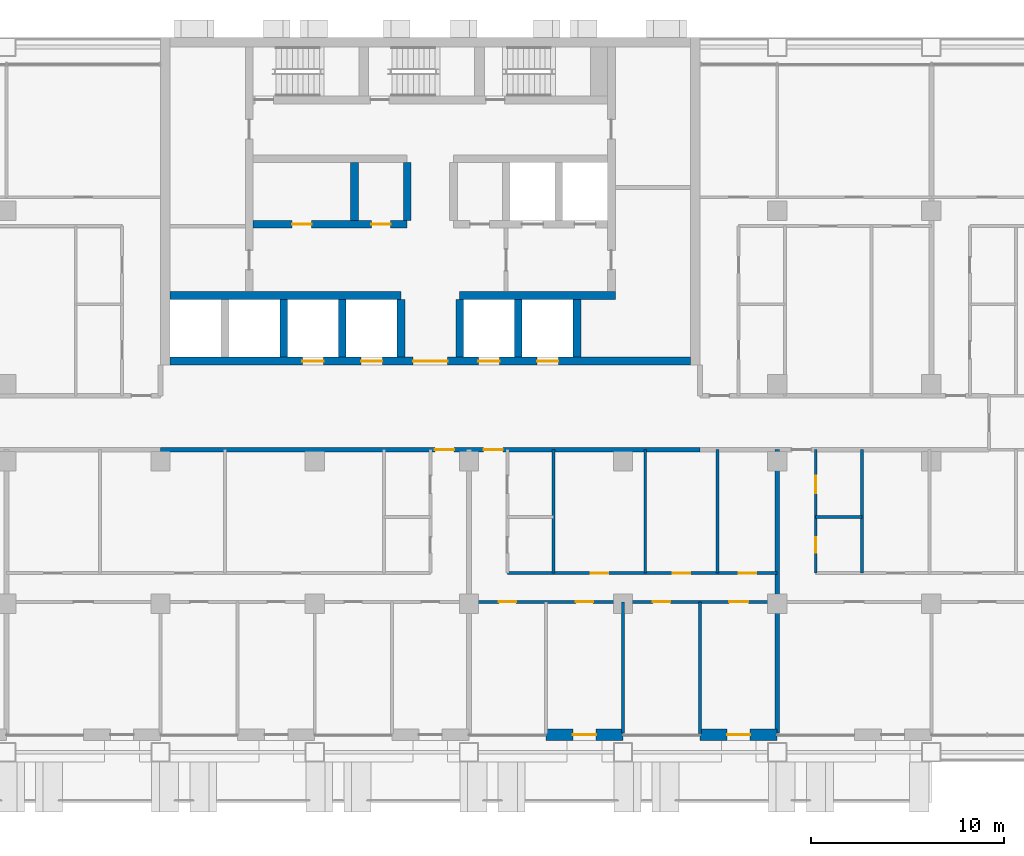
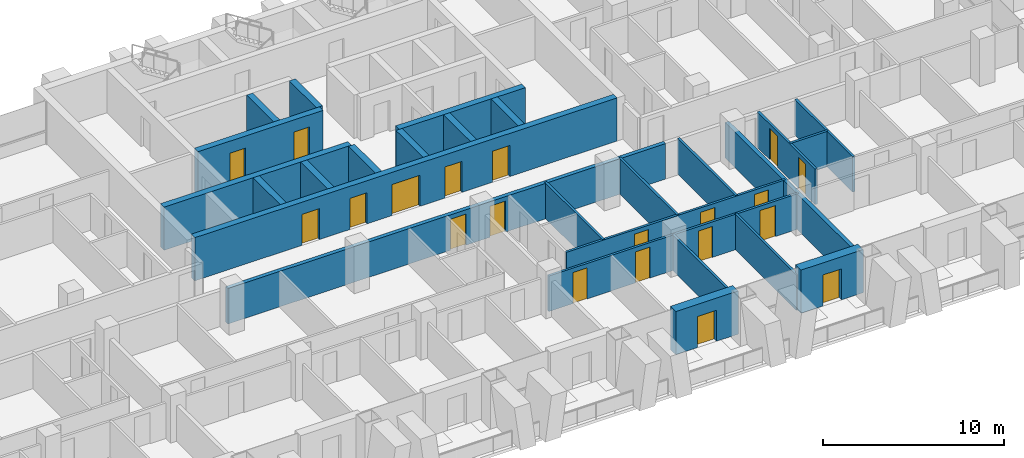
# One storey, part 11 of 18: 26 walls, 20 doors, 20 openings.
"""IFC4 building model written with IfcOpenShell, lengths in metres."""

from ifc_helpers import new_model, si_unit, direction, frame, frame_2d, origin, place, context, subcontext, project, spatial, rectangle, extrude, material, layer, layer_set, type_object, element, fill, save


model = new_model("IFC4")

# Units and contexts
model_context = context("Model", 3, precision=1e-05, world=origin(), true_north=direction((0.0, 1.0)))
body_context = subcontext(model_context, "Body", "Model", "MODEL_VIEW")
ifc_project = project(units=[si_unit("LENGTHUNIT", "METRE"), si_unit("AREAUNIT", "SQUARE_METRE"), si_unit("VOLUMEUNIT", "CUBIC_METRE"), si_unit("PLANEANGLEUNIT", "RADIAN"), si_unit("MASSUNIT", "GRAM", prefix="KILO")], contexts=[model_context])

# Site, building, storey
site_placement = place(None, origin())
site = spatial("IfcSite", under=ifc_project, at=site_placement, CompositionType="ELEMENT")
building_placement = place(site_placement, origin())
building = spatial("IfcBuilding", under=site, at=building_placement, Name="Vidyagriha Tower", CompositionType="ELEMENT")
storey_placement = place(building_placement, frame((0.0, 0.0, 48.0)))
storey = spatial("IfcBuildingStorey", under=building, at=storey_placement, Name="L12", CompositionType="ELEMENT", Elevation=48.0)

# Wall, opening, door
ifc_material_1 = material(Name="Precast concrete C40/50 with brick facing", Category="concrete")
ifc_layer_1 = layer(ifc_material_1, 0.60009765625)
ifc_layer_set_1 = layer_set([ifc_layer_1], Name="Precast concrete C40/50 with brick facing")
wall_type_1 = type_object("IfcWallType", Name="Brick-faced precast wall 600", PredefinedType="STANDARD", material=ifc_layer_set_1)
wall_1_placement = place(storey_placement, frame((6.0, -16.199951171875, 0.0)))
wall_1 = element("IfcWall", 1, at=wall_1_placement, inside=storey, type_object=wall_type_1, Name="Brick door bay wall L12 R23.11", PredefinedType="STANDARD", context=body_context, shape_type="SweptSolid", body=[
    extrude(rectangle(XDim=4.0, YDim=0.60009765625, at=frame_2d((2.0, 0.0))), origin(), (0.0, 0.0, 1.0), 2.919921875),
])
opening_1_placement = place(wall_1_placement, frame((1.39990234375, 0.0, 0.0)))
opening_1 = element("IfcOpeningElement", 2, at=opening_1_placement, cuts=wall_1, Name="Opening D12-81", PredefinedType="OPENING", context=body_context, shape_type="SweptSolid", body=[
    extrude(rectangle(XDim=1.199951171875, YDim=2.10009765625, at=frame_2d((0.60009765625, 1.050048828125))), frame((0.0, 0.31005859375, 0.0), z_axis=(0.0, -1.0, 0.0), x_axis=(1.0, 0.0, 0.0)), (0.0, 0.0, 1.0), 0.6201171875),
])
ifc_material_2 = material(Name="Aluminium framed glazed sliding door", Category="aluminium")
door_type_1 = type_object("IfcDoorType", Name="Balcony sliding door 1200x2100", OperationType="NOTDEFINED", PredefinedType="DOOR", material=ifc_material_2)
door_1_placement = place(opening_1_placement, origin())
door_1 = element("IfcDoor", 3, at=door_1_placement, inside=storey, type_object=door_type_1, Name="Door D12-81", OperationType="SLIDING_TO_LEFT", OverallHeight=2.10009765625, OverallWidth=1.199951171875, PredefinedType="DOOR", context=body_context, shape_type="SweptSolid", body=[
    extrude(rectangle(XDim=1.199951171875, YDim=2.10009765625, at=frame_2d((0.60009765625, 1.050048828125))), frame((0.0, 0.02490234375, 0.0), z_axis=(0.0, -1.0, 0.0), x_axis=(1.0, 0.0, 0.0)), (0.0, 0.0, 1.0), 0.050048828125),
])
fill(opening_1, door_1)

wall_2_placement = place(storey_placement, frame((14.0, -16.199951171875, 0.0)))
wall_2 = element("IfcWall", 4, at=wall_2_placement, inside=storey, type_object=wall_type_1, Name="Brick door bay wall L12 R23.13", PredefinedType="STANDARD", context=body_context, shape_type="SweptSolid", body=[
    extrude(rectangle(XDim=4.0, YDim=0.60009765625, at=frame_2d((2.0, 0.0))), origin(), (0.0, 0.0, 1.0), 2.919921875),
])
opening_2_placement = place(wall_2_placement, frame((1.39990234375, 0.0, 0.0)))
opening_2 = element("IfcOpeningElement", 5, at=opening_2_placement, cuts=wall_2, Name="Opening D12-82", PredefinedType="OPENING", context=body_context, shape_type="SweptSolid", body=[
    extrude(rectangle(XDim=1.199951171875, YDim=2.10009765625, at=frame_2d((0.60009765625, 1.050048828125))), frame((0.0, 0.31005859375, 0.0), z_axis=(0.0, -1.0, 0.0), x_axis=(1.0, 0.0, 0.0)), (0.0, 0.0, 1.0), 0.6201171875),
])
door_2_placement = place(opening_2_placement, origin())
door_2 = element("IfcDoor", 6, at=door_2_placement, inside=storey, type_object=door_type_1, Name="Door D12-82", OperationType="SLIDING_TO_LEFT", OverallHeight=2.10009765625, OverallWidth=1.199951171875, PredefinedType="DOOR", context=body_context, shape_type="SweptSolid", body=[
    extrude(rectangle(XDim=1.199951171875, YDim=2.10009765625, at=frame_2d((0.60009765625, 1.050048828125))), frame((0.0, 0.02490234375, 0.0), z_axis=(0.0, -1.0, 0.0), x_axis=(1.0, 0.0, 0.0)), (0.0, 0.0, 1.0), 0.050048828125),
])
fill(opening_2, door_2)

# Wall, openings, doors
ifc_material_3 = material(Name="Concrete C60/75", Category="concrete")
ifc_layer_2 = layer(ifc_material_3, 0.39990234375)
ifc_layer_set_2 = layer_set([ifc_layer_2], Name="Concrete C60/75")
wall_type_2 = type_object("IfcWallType", Name="Core shear wall 400 mm", PredefinedType="SHEAR", material=ifc_layer_set_2)
wall_3_placement = place(storey_placement, frame((-13.5, 3.199951171875, 0.0)))
wall_3 = element("IfcWall", 7, at=wall_3_placement, inside=storey, type_object=wall_type_2, Name="Core front wall", PredefinedType="SHEAR", context=body_context, shape_type="SweptSolid", body=[
    extrude(rectangle(XDim=27.0, YDim=0.39990234375, at=frame_2d((13.5, 0.0))), origin(), (0.0, 0.0, 1.0), 2.919921875),
])
opening_3_placement = place(wall_3_placement, frame((6.861083984375, 0.0, 0.0)))
opening_3 = element("IfcOpeningElement", 8, at=opening_3_placement, cuts=wall_3, Name="Opening LD12-01", PredefinedType="OPENING", context=body_context, shape_type="SweptSolid", body=[
    extrude(rectangle(XDim=1.10009765625, YDim=2.10009765625, at=frame_2d((0.550048828125, 1.050048828125))), frame((0.0, 0.2099609375, 0.0), z_axis=(0.0, -1.0, 0.0), x_axis=(1.0, 0.0, 0.0)), (0.0, 0.0, 1.0), 0.419921875),
])
opening_4_placement = place(wall_3_placement, frame((9.905517578125, 0.0, 0.0)))
opening_4 = element("IfcOpeningElement", 9, at=opening_4_placement, cuts=wall_3, Name="Opening LD12-02", PredefinedType="OPENING", context=body_context, shape_type="SweptSolid", body=[
    extrude(rectangle(XDim=1.10009765625, YDim=2.10009765625, at=frame_2d((0.550048828125, 1.050048828125))), frame((0.0, 0.2099609375, 0.0), z_axis=(0.0, -1.0, 0.0), x_axis=(1.0, 0.0, 0.0)), (0.0, 0.0, 1.0), 0.419921875),
])
opening_5_placement = place(wall_3_placement, frame((15.994384765625, 0.0, 0.0)))
opening_5 = element("IfcOpeningElement", 10, at=opening_5_placement, cuts=wall_3, Name="Opening LD12-03", PredefinedType="OPENING", context=body_context, shape_type="SweptSolid", body=[
    extrude(rectangle(XDim=1.10009765625, YDim=2.10009765625, at=frame_2d((0.550048828125, 1.050048828125))), frame((0.0, 0.2099609375, 0.0), z_axis=(0.0, -1.0, 0.0), x_axis=(1.0, 0.0, 0.0)), (0.0, 0.0, 1.0), 0.419921875),
])
opening_6_placement = place(wall_3_placement, frame((19.038818359375, 0.0, 0.0)))
opening_6 = element("IfcOpeningElement", 11, at=opening_6_placement, cuts=wall_3, Name="Opening LD12-04", PredefinedType="OPENING", context=body_context, shape_type="SweptSolid", body=[
    extrude(rectangle(XDim=1.10009765625, YDim=2.10009765625, at=frame_2d((0.550048828125, 1.050048828125))), frame((0.0, 0.2099609375, 0.0), z_axis=(0.0, -1.0, 0.0), x_axis=(1.0, 0.0, 0.0)), (0.0, 0.0, 1.0), 0.419921875),
])
opening_7_placement = place(wall_3_placement, frame((12.60009765625, 0.0, 0.0)))
opening_7 = element("IfcOpeningElement", 12, at=opening_7_placement, cuts=wall_3, Name="Opening D12-01", PredefinedType="OPENING", context=body_context, shape_type="SweptSolid", body=[
    extrude(rectangle(XDim=1.800048828125, YDim=2.10009765625, at=frame_2d((0.89990234375, 1.050048828125))), frame((0.0, 0.2099609375, 0.0), z_axis=(0.0, -1.0, 0.0), x_axis=(1.0, 0.0, 0.0)), (0.0, 0.0, 1.0), 0.419921875),
])
ifc_material_4 = material(Name="Hollow metal door leaf")
door_type_2 = type_object("IfcDoorType", Name="Core lobby double door 1800 x 2100 mm EI 60", OperationType="NOTDEFINED", PredefinedType="DOOR", material=ifc_material_4)
door_3_placement = place(opening_7_placement, frame((1.800048828125, 0.0, 0.0), z_axis=(0.0, 0.0, 1.0), x_axis=(-1.0, 0.0, 0.0)))
door_3 = element("IfcDoor", 13, at=door_3_placement, inside=storey, type_object=door_type_2, Name="Core entrance door L12", OperationType="DOUBLE_DOOR_SINGLE_SWING", OverallHeight=2.10009765625, OverallWidth=1.800048828125, PredefinedType="DOOR", context=body_context, shape_type="SweptSolid", body=[
    extrude(rectangle(XDim=1.800048828125, YDim=2.10009765625, at=frame_2d((0.89990234375, 1.050048828125))), frame((0.0, 0.02490234375, 0.0), z_axis=(0.0, -1.0, 0.0), x_axis=(1.0, 0.0, 0.0)), (0.0, 0.0, 1.0), 0.050048828125),
])
fill(opening_7, door_3)
ifc_material_5 = material(Name="Stainless steel sliding door panel", Category="steel")
door_type_3 = type_object("IfcDoorType", Name="Lift landing door 1100 x 2100 mm EI 90", OperationType="NOTDEFINED", PredefinedType="DOOR", material=ifc_material_5)
door_4_placement = place(opening_3_placement, origin())
door_4 = element("IfcDoor", 14, at=door_4_placement, inside=storey, type_object=door_type_3, Name="Landing door LR1 L12", OperationType="SLIDING_TO_LEFT", OverallHeight=2.10009765625, OverallWidth=1.10009765625, PredefinedType="DOOR", context=body_context, shape_type="SweptSolid", body=[
    extrude(rectangle(XDim=1.10009765625, YDim=2.10009765625, at=frame_2d((0.550048828125, 1.050048828125))), frame((0.0, 0.02490234375, 0.0), z_axis=(0.0, -1.0, 0.0), x_axis=(1.0, 0.0, 0.0)), (0.0, 0.0, 1.0), 0.050048828125),
])
fill(opening_3, door_4)
door_5_placement = place(opening_4_placement, origin())
door_5 = element("IfcDoor", 15, at=door_5_placement, inside=storey, type_object=door_type_3, Name="Landing door LR2 L12", OperationType="SLIDING_TO_LEFT", OverallHeight=2.10009765625, OverallWidth=1.10009765625, PredefinedType="DOOR", context=body_context, shape_type="SweptSolid", body=[
    extrude(rectangle(XDim=1.10009765625, YDim=2.10009765625, at=frame_2d((0.550048828125, 1.050048828125))), frame((0.0, 0.02490234375, 0.0), z_axis=(0.0, -1.0, 0.0), x_axis=(1.0, 0.0, 0.0)), (0.0, 0.0, 1.0), 0.050048828125),
])
fill(opening_4, door_5)
door_6_placement = place(opening_5_placement, origin())
door_6 = element("IfcDoor", 16, at=door_6_placement, inside=storey, type_object=door_type_3, Name="Landing door LR3 L12", OperationType="SLIDING_TO_LEFT", OverallHeight=2.10009765625, OverallWidth=1.10009765625, PredefinedType="DOOR", context=body_context, shape_type="SweptSolid", body=[
    extrude(rectangle(XDim=1.10009765625, YDim=2.10009765625, at=frame_2d((0.550048828125, 1.050048828125))), frame((0.0, 0.02490234375, 0.0), z_axis=(0.0, -1.0, 0.0), x_axis=(1.0, 0.0, 0.0)), (0.0, 0.0, 1.0), 0.050048828125),
])
fill(opening_5, door_6)
door_7_placement = place(opening_6_placement, origin())
door_7 = element("IfcDoor", 17, at=door_7_placement, inside=storey, type_object=door_type_3, Name="Landing door LR4 L12", OperationType="SLIDING_TO_LEFT", OverallHeight=2.10009765625, OverallWidth=1.10009765625, PredefinedType="DOOR", context=body_context, shape_type="SweptSolid", body=[
    extrude(rectangle(XDim=1.10009765625, YDim=2.10009765625, at=frame_2d((0.550048828125, 1.050048828125))), frame((0.0, 0.02490234375, 0.0), z_axis=(0.0, -1.0, 0.0), x_axis=(1.0, 0.0, 0.0)), (0.0, 0.0, 1.0), 0.050048828125),
])
fill(opening_6, door_7)

# Walls
wall_4_placement = place(storey_placement, frame((-13.5, 6.60009765625, 0.0)))
element("IfcWall", 18, at=wall_4_placement, inside=storey, type_object=wall_type_2, Name="Core lobby south wall west", PredefinedType="SHEAR", context=body_context, shape_type="SweptSolid", body=[
    extrude(rectangle(XDim=11.977783203125, YDim=0.39990234375, at=frame_2d((5.98876953125, 0.0))), origin(), (0.0, 0.0, 1.0), 2.919921875),
])
wall_5_placement = place(storey_placement, frame((1.522216796875, 6.60009765625, 0.0)))
element("IfcWall", 19, at=wall_5_placement, inside=storey, type_object=wall_type_2, Name="Core lobby south wall east", PredefinedType="SHEAR", context=body_context, shape_type="SweptSolid", body=[
    extrude(rectangle(XDim=8.077880859375, YDim=0.39990234375, at=frame_2d((4.0390625, 0.0))), origin(), (0.0, 0.0, 1.0), 2.919921875),
])
for number, where, z_axis, x_axis, name in (
    (20, (-7.611083984375, 3.39990234375, 0.0), (0.0, 0.0, 1.0), (0.0, 1.0, 0.0), "Core bay wall S2"),
    (21, (-4.566650390625, 3.39990234375, 0.0), (0.0, 0.0, 1.0), (0.0, 1.0, 0.0), "Core bay wall S3"),
    (22, (-1.522216796875, 3.39990234375, 0.0), (0.0, 0.0, 1.0), (0.0, 1.0, 0.0), "Core bay wall S4"),
    (23, (1.522216796875, 3.39990234375, 0.0), (0.0, 0.0, 1.0), (0.0, 1.0, 0.0), "Core bay wall S5"),
    (24, (4.566650390625, 3.39990234375, 0.0), (0.0, 0.0, 1.0), (0.0, 1.0, 0.0), "Core bay wall S6"),
    (25, (7.611083984375, 3.39990234375, 0.0), (0.0, 0.0, 1.0), (0.0, 1.0, 0.0), "Core bay wall S7"),
):
    element("IfcWall", number, at=place(storey_placement, frame(where, z_axis=z_axis, x_axis=x_axis)), inside=storey, type_object=wall_type_2, Name=name, PredefinedType="SHEAR", context=body_context, shape_type="SweptSolid", body=[
        extrude(rectangle(XDim=3.0, YDim=0.39990234375, at=frame_2d((1.5, 0.0))), origin(), (0.0, 0.0, 1.0), 2.919921875),
    ])

# Wall, openings, doors
wall_6_placement = place(storey_placement, frame((-9.199951171875, 10.300048828125, 0.0)))
wall_6 = element("IfcWall", 26, at=wall_6_placement, inside=storey, type_object=wall_type_2, Name="Core row N front wall", PredefinedType="SHEAR", context=body_context, shape_type="SweptSolid", body=[
    extrude(rectangle(XDim=8.0, YDim=0.39990234375, at=frame_2d((4.0, 0.0))), origin(), (0.0, 0.0, 1.0), 2.919921875),
])
opening_8_placement = place(wall_6_placement, frame((2.033203125, 0.0, 0.0)))
opening_8 = element("IfcOpeningElement", 27, at=opening_8_placement, cuts=wall_6, Name="Opening D12-02", PredefinedType="OPENING", context=body_context, shape_type="SweptSolid", body=[
    extrude(rectangle(XDim=1.0, YDim=2.10009765625, at=frame_2d((0.5, 1.050048828125))), frame((0.0, 0.2099609375, 0.0), z_axis=(0.0, -1.0, 0.0), x_axis=(1.0, 0.0, 0.0)), (0.0, 0.0, 1.0), 0.419921875),
])
opening_9_placement = place(wall_6_placement, frame((6.13330078125, 0.0, 0.0)))
opening_9 = element("IfcOpeningElement", 28, at=opening_9_placement, cuts=wall_6, Name="Opening D12-03", PredefinedType="OPENING", context=body_context, shape_type="SweptSolid", body=[
    extrude(rectangle(XDim=1.0, YDim=2.10009765625, at=frame_2d((0.5, 1.050048828125))), frame((0.0, 0.2099609375, 0.0), z_axis=(0.0, -1.0, 0.0), x_axis=(1.0, 0.0, 0.0)), (0.0, 0.0, 1.0), 0.419921875),
])
ifc_material_6 = material(Name="Hollow metal door leaf")
door_type_4 = type_object("IfcDoorType", Name="Core room door 1000 x 2100 mm EI 60", OperationType="NOTDEFINED", PredefinedType="DOOR", material=ifc_material_6)
door_8_placement = place(opening_8_placement, frame((1.0, 0.0, 0.0), z_axis=(0.0, 0.0, 1.0), x_axis=(-1.0, 0.0, 0.0)))
door_8 = element("IfcDoor", 29, at=door_8_placement, inside=storey, type_object=door_type_4, Name="Door Cleaners Store 12.14", OperationType="SINGLE_SWING_RIGHT", OverallHeight=2.10009765625, OverallWidth=1.0, PredefinedType="DOOR", context=body_context, shape_type="SweptSolid", body=[
    extrude(rectangle(XDim=1.0, YDim=2.10009765625, at=frame_2d((0.5, 1.050048828125))), frame((0.0, 0.02490234375, 0.0), z_axis=(0.0, -1.0, 0.0), x_axis=(1.0, 0.0, 0.0)), (0.0, 0.0, 1.0), 0.050048828125),
])
fill(opening_8, door_8)
door_9_placement = place(opening_9_placement, frame((1.0, 0.0, 0.0), z_axis=(0.0, 0.0, 1.0), x_axis=(-1.0, 0.0, 0.0)))
door_9 = element("IfcDoor", 30, at=door_9_placement, inside=storey, type_object=door_type_4, Name="Door Riser Room 12.15", OperationType="SINGLE_SWING_LEFT", OverallHeight=2.10009765625, OverallWidth=1.0, PredefinedType="DOOR", context=body_context, shape_type="SweptSolid", body=[
    extrude(rectangle(XDim=1.0, YDim=2.10009765625, at=frame_2d((0.5, 1.050048828125))), frame((0.0, 0.02490234375, 0.0), z_axis=(0.0, -1.0, 0.0), x_axis=(1.0, 0.0, 0.0)), (0.0, 0.0, 1.0), 0.050048828125),
])
fill(opening_9, door_9)

# Walls
for number, where, z_axis, x_axis, name in (
    (31, (-3.933349609375, 10.5, 0.0), (0.0, 0.0, 1.0), (0.0, 1.0, 0.0), "Core bay wall N2"),
    (32, (-1.199951171875, 10.5, 0.0), (0.0, 0.0, 1.0), (0.0, 1.0, 0.0), "Core bay wall N3"),
):
    element("IfcWall", number, at=place(storey_placement, frame(where, z_axis=z_axis, x_axis=x_axis)), inside=storey, type_object=wall_type_2, Name=name, PredefinedType="SHEAR", context=body_context, shape_type="SweptSolid", body=[
        extrude(rectangle(XDim=3.0, YDim=0.39990234375, at=frame_2d((1.5, 0.0))), origin(), (0.0, 0.0, 1.0), 2.919921875),
    ])

# Wall, openings, doors
ifc_material_7 = material(Name="Fired clay brick masonry", Category="masonry")
ifc_layer_3 = layer(ifc_material_7, 0.25)
ifc_layer_set_3 = layer_set([ifc_layer_3], Name="Fired clay brick masonry")
wall_type_3 = type_object("IfcWallType", Name="Fired clay brick corridor wall 250", PredefinedType="PARTITIONING", material=ifc_layer_set_3)
wall_7_placement = place(storey_placement, frame((14.0, -1.39990234375, 0.0), z_axis=(0.0, 0.0, 1.0), x_axis=(-1.0, 0.0, 0.0)))
wall_7 = element("IfcWall", 33, at=wall_7_placement, inside=storey, type_object=wall_type_3, Name="Wall all-L12-w137", PredefinedType="PARTITIONING", context=body_context, shape_type="SweptSolid", body=[
    extrude(rectangle(XDim=28.0, YDim=0.25, at=frame_2d((14.0, 0.0))), origin(), (0.0, 0.0, 1.0), 2.39990234375),
])
opening_10_placement = place(wall_7_placement, frame((12.760009765625, 0.0, 0.0)))
opening_10 = element("IfcOpeningElement", 34, at=opening_10_placement, cuts=wall_7, Name="Opening D12-31", PredefinedType="OPENING", context=body_context, shape_type="SweptSolid", body=[
    extrude(rectangle(XDim=1.0, YDim=2.10009765625, at=frame_2d((0.5, 1.050048828125))), frame((0.0, 0.135009765625, 0.0), z_axis=(0.0, -1.0, 0.0), x_axis=(1.0, 0.0, 0.0)), (0.0, 0.0, 1.0), 0.27001953125),
])
opening_11_placement = place(wall_7_placement, frame((10.239990234375, 0.0, 0.0)))
opening_11 = element("IfcOpeningElement", 35, at=opening_11_placement, cuts=wall_7, Name="Opening D12-41", PredefinedType="OPENING", context=body_context, shape_type="SweptSolid", body=[
    extrude(rectangle(XDim=1.0, YDim=2.10009765625, at=frame_2d((0.5, 1.050048828125))), frame((0.0, 0.135009765625, 0.0), z_axis=(0.0, -1.0, 0.0), x_axis=(1.0, 0.0, 0.0)), (0.0, 0.0, 1.0), 0.27001953125),
])
ifc_material_8 = material(Name="Fire-rated timber door leaf EI 60", Category="wood")
door_type_5 = type_object("IfcDoorType", Name="Flat entrance fire door 1000x2100", OperationType="NOTDEFINED", PredefinedType="DOOR", material=ifc_material_8)
door_10_placement = place(opening_10_placement, origin())
door_10 = element("IfcDoor", 36, at=door_10_placement, inside=storey, type_object=door_type_5, Name="Door D12-31", OperationType="SINGLE_SWING_LEFT", OverallHeight=2.10009765625, OverallWidth=1.0, PredefinedType="DOOR", context=body_context, shape_type="SweptSolid", body=[
    extrude(rectangle(XDim=1.0, YDim=2.10009765625, at=frame_2d((0.5, 1.050048828125))), frame((0.0, 0.02490234375, 0.0), z_axis=(0.0, -1.0, 0.0), x_axis=(1.0, 0.0, 0.0)), (0.0, 0.0, 1.0), 0.050048828125),
])
fill(opening_10, door_10)
door_11_placement = place(opening_11_placement, origin())
door_11 = element("IfcDoor", 37, at=door_11_placement, inside=storey, type_object=door_type_5, Name="Door D12-41", OperationType="SINGLE_SWING_RIGHT", OverallHeight=2.10009765625, OverallWidth=1.0, PredefinedType="DOOR", context=body_context, shape_type="SweptSolid", body=[
    extrude(rectangle(XDim=1.0, YDim=2.10009765625, at=frame_2d((0.5, 1.050048828125))), frame((0.0, 0.02490234375, 0.0), z_axis=(0.0, -1.0, 0.0), x_axis=(1.0, 0.0, 0.0)), (0.0, 0.0, 1.0), 0.050048828125),
])
fill(opening_11, door_11)

# Walls
ifc_material_9 = material(Name="Fired clay brick masonry", Category="masonry")
ifc_layer_4 = layer(ifc_material_9, 0.25)
ifc_layer_set_4 = layer_set([ifc_layer_4], Name="Fired clay brick masonry")
wall_type_4 = type_object("IfcWallType", Name="Fired clay brick demising wall 250", PredefinedType="PARTITIONING", material=ifc_layer_set_4)
wall_8_placement = place(storey_placement, frame((18.0, -1.39990234375, 0.0), z_axis=(0.0, 0.0, 1.0), x_axis=(0.0, -1.0, 0.0)))
element("IfcWall", 38, at=wall_8_placement, inside=storey, type_object=wall_type_4, Name="Wall all-L12-w079", PredefinedType="PARTITIONING", context=body_context, shape_type="SweptSolid", body=[
    extrude(rectangle(XDim=14.710205078125, YDim=0.25, at=frame_2d((7.35498046875, 0.0))), origin(), (0.0, 0.0, 1.0), 2.39990234375),
])
ifc_material_10 = material(Name="Gypsum board partition")
ifc_layer_5 = layer(ifc_material_10, 0.14990234375)
ifc_layer_set_5 = layer_set([ifc_layer_5], Name="Gypsum board partition")
wall_type_5 = type_object("IfcWallType", Name="Gypsum board partition 150", PredefinedType="PARTITIONING", material=ifc_layer_set_5)
for number, where, z_axis, x_axis, name in (
    (39, (6.39990234375, -1.39990234375, 0.0), (0.0, 0.0, 1.0), (0.0, -1.0, 0.0), "Wall all-L12-w044"),
    (40, (11.14990234375, -1.39990234375, 0.0), (0.0, 0.0, 1.0), (0.0, -1.0, 0.0), "Wall all-L12-w045"),
    (41, (14.89990234375, -1.39990234375, 0.0), (0.0, 0.0, 1.0), (0.0, -1.0, 0.0), "Wall all-L12-w046"),
):
    element("IfcWall", number, at=place(storey_placement, frame(where, z_axis=z_axis, x_axis=x_axis)), inside=storey, type_object=wall_type_5, Name=name, PredefinedType="PARTITIONING", context=body_context, shape_type="SweptSolid", body=[
        extrude(rectangle(XDim=6.400146484375, YDim=0.14990234375, at=frame_2d((3.2001953125, 0.0))), origin(), (0.0, 0.0, 1.0), 2.39990234375),
    ])

# Wall, openings, doors
wall_9_placement = place(storey_placement, frame((4.0, -7.800048828125, 0.0)))
wall_9 = element("IfcWall", 42, at=wall_9_placement, inside=storey, type_object=wall_type_5, Name="Wall all-L12-w047", PredefinedType="PARTITIONING", context=body_context, shape_type="SweptSolid", body=[
    extrude(rectangle(XDim=14.0, YDim=0.14990234375, at=frame_2d((7.0, 0.0))), origin(), (0.0, 0.0, 1.0), 2.39990234375),
])
opening_12_placement = place(wall_9_placement, frame((4.324951171875, 0.0, 0.0)))
opening_12 = element("IfcOpeningElement", 43, at=opening_12_placement, cuts=wall_9, Name="Opening D12-34", PredefinedType="OPENING", context=body_context, shape_type="SweptSolid", body=[
    extrude(rectangle(XDim=0.89990234375, YDim=2.10009765625, at=frame_2d((0.449951171875, 1.050048828125))), frame((0.0, 0.0849609375, 0.0), z_axis=(0.0, -1.0, 0.0), x_axis=(1.0, 0.0, 0.0)), (0.0, 0.0, 1.0), 0.169921875),
])
opening_13_placement = place(wall_9_placement, frame((8.574951171875, 0.0, 0.0)))
opening_13 = element("IfcOpeningElement", 44, at=opening_13_placement, cuts=wall_9, Name="Opening D12-35", PredefinedType="OPENING", context=body_context, shape_type="SweptSolid", body=[
    extrude(rectangle(XDim=0.89990234375, YDim=2.10009765625, at=frame_2d((0.449951171875, 1.050048828125))), frame((0.0, 0.0849609375, 0.0), z_axis=(0.0, -1.0, 0.0), x_axis=(1.0, 0.0, 0.0)), (0.0, 0.0, 1.0), 0.169921875),
])
opening_14_placement = place(wall_9_placement, frame((12.0, 0.0, 0.0)))
opening_14 = element("IfcOpeningElement", 45, at=opening_14_placement, cuts=wall_9, Name="Opening D12-36", PredefinedType="OPENING", context=body_context, shape_type="SweptSolid", body=[
    extrude(rectangle(XDim=0.89990234375, YDim=2.10009765625, at=frame_2d((0.449951171875, 1.050048828125))), frame((0.0, 0.0849609375, 0.0), z_axis=(0.0, -1.0, 0.0), x_axis=(1.0, 0.0, 0.0)), (0.0, 0.0, 1.0), 0.169921875),
])
ifc_material_11 = material(Name="Timber door leaf", Category="wood")
door_type_6 = type_object("IfcDoorType", Name="Room door 900x2100", OperationType="NOTDEFINED", PredefinedType="DOOR", material=ifc_material_11)
door_12_placement = place(opening_12_placement, origin())
door_12 = element("IfcDoor", 46, at=door_12_placement, inside=storey, type_object=door_type_6, Name="Door D12-34", OperationType="SINGLE_SWING_RIGHT", OverallHeight=2.10009765625, OverallWidth=0.89990234375, PredefinedType="DOOR", context=body_context, shape_type="SweptSolid", body=[
    extrude(rectangle(XDim=0.89990234375, YDim=2.10009765625, at=frame_2d((0.449951171875, 1.050048828125))), frame((0.0, 0.02490234375, 0.0), z_axis=(0.0, -1.0, 0.0), x_axis=(1.0, 0.0, 0.0)), (0.0, 0.0, 1.0), 0.050048828125),
])
fill(opening_12, door_12)
door_13_placement = place(opening_13_placement, origin())
door_13 = element("IfcDoor", 47, at=door_13_placement, inside=storey, type_object=door_type_6, Name="Door D12-35", OperationType="SINGLE_SWING_RIGHT", OverallHeight=2.10009765625, OverallWidth=0.89990234375, PredefinedType="DOOR", context=body_context, shape_type="SweptSolid", body=[
    extrude(rectangle(XDim=0.89990234375, YDim=2.10009765625, at=frame_2d((0.449951171875, 1.050048828125))), frame((0.0, 0.02490234375, 0.0), z_axis=(0.0, -1.0, 0.0), x_axis=(1.0, 0.0, 0.0)), (0.0, 0.0, 1.0), 0.050048828125),
])
fill(opening_13, door_13)
door_14_placement = place(opening_14_placement, origin())
door_14 = element("IfcDoor", 48, at=door_14_placement, inside=storey, type_object=door_type_6, Name="Door D12-36", OperationType="SINGLE_SWING_LEFT", OverallHeight=2.10009765625, OverallWidth=0.89990234375, PredefinedType="DOOR", context=body_context, shape_type="SweptSolid", body=[
    extrude(rectangle(XDim=0.89990234375, YDim=2.10009765625, at=frame_2d((0.449951171875, 1.050048828125))), frame((0.0, 0.02490234375, 0.0), z_axis=(0.0, -1.0, 0.0), x_axis=(1.0, 0.0, 0.0)), (0.0, 0.0, 1.0), 0.050048828125),
])
fill(opening_14, door_14)

wall_10_placement = place(storey_placement, frame((18.0, -9.300048828125, 0.0), z_axis=(0.0, 0.0, 1.0), x_axis=(-1.0, 0.0, 0.0)))
wall_10 = element("IfcWall", 49, at=wall_10_placement, inside=storey, type_object=wall_type_5, Name="Wall all-L12-w051", PredefinedType="PARTITIONING", context=body_context, shape_type="SweptSolid", body=[
    extrude(rectangle(XDim=16.0, YDim=0.14990234375, at=frame_2d((8.0, 0.0))), origin(), (0.0, 0.0, 1.0), 2.39990234375),
])
opening_15_placement = place(wall_10_placement, frame((13.550048828125, 0.0, 0.0)))
opening_15 = element("IfcOpeningElement", 50, at=opening_15_placement, cuts=wall_10, Name="Opening D12-37", PredefinedType="OPENING", context=body_context, shape_type="SweptSolid", body=[
    extrude(rectangle(XDim=0.89990234375, YDim=2.10009765625, at=frame_2d((0.449951171875, 1.050048828125))), frame((0.0, 0.0849609375, 0.0), z_axis=(0.0, -1.0, 0.0), x_axis=(1.0, 0.0, 0.0)), (0.0, 0.0, 1.0), 0.169921875),
])
opening_16_placement = place(wall_10_placement, frame((9.550048828125, 0.0, 0.0)))
opening_16 = element("IfcOpeningElement", 51, at=opening_16_placement, cuts=wall_10, Name="Opening D12-38", PredefinedType="OPENING", context=body_context, shape_type="SweptSolid", body=[
    extrude(rectangle(XDim=0.89990234375, YDim=2.10009765625, at=frame_2d((0.449951171875, 1.050048828125))), frame((0.0, 0.0849609375, 0.0), z_axis=(0.0, -1.0, 0.0), x_axis=(1.0, 0.0, 0.0)), (0.0, 0.0, 1.0), 0.169921875),
])
opening_17_placement = place(wall_10_placement, frame((5.550048828125, 0.0, 0.0)))
opening_17 = element("IfcOpeningElement", 52, at=opening_17_placement, cuts=wall_10, Name="Opening D12-39", PredefinedType="OPENING", context=body_context, shape_type="SweptSolid", body=[
    extrude(rectangle(XDim=0.89990234375, YDim=2.10009765625, at=frame_2d((0.449951171875, 1.050048828125))), frame((0.0, 0.0849609375, 0.0), z_axis=(0.0, -1.0, 0.0), x_axis=(1.0, 0.0, 0.0)), (0.0, 0.0, 1.0), 0.169921875),
])
opening_18_placement = place(wall_10_placement, frame((1.5, 0.0, 0.0)))
opening_18 = element("IfcOpeningElement", 53, at=opening_18_placement, cuts=wall_10, Name="Opening D12-40", PredefinedType="OPENING", context=body_context, shape_type="SweptSolid", body=[
    extrude(rectangle(XDim=1.0, YDim=2.10009765625, at=frame_2d((0.5, 1.050048828125))), frame((0.0, 0.0849609375, 0.0), z_axis=(0.0, -1.0, 0.0), x_axis=(1.0, 0.0, 0.0)), (0.0, 0.0, 1.0), 0.169921875),
])
ifc_material_12 = material(Name="Timber door leaf", Category="wood")
door_type_7 = type_object("IfcDoorType", Name="Room door 1000x2100", OperationType="NOTDEFINED", PredefinedType="DOOR", material=ifc_material_12)
door_15_placement = place(opening_18_placement, origin())
door_15 = element("IfcDoor", 54, at=door_15_placement, inside=storey, type_object=door_type_7, Name="Door D12-40", OperationType="SINGLE_SWING_RIGHT", OverallHeight=2.10009765625, OverallWidth=1.0, PredefinedType="DOOR", context=body_context, shape_type="SweptSolid", body=[
    extrude(rectangle(XDim=1.0, YDim=2.10009765625, at=frame_2d((0.5, 1.050048828125))), frame((0.0, 0.02490234375, 0.0), z_axis=(0.0, -1.0, 0.0), x_axis=(1.0, 0.0, 0.0)), (0.0, 0.0, 1.0), 0.050048828125),
])
fill(opening_18, door_15)
door_16_placement = place(opening_15_placement, origin())
door_16 = element("IfcDoor", 55, at=door_16_placement, inside=storey, type_object=door_type_6, Name="Door D12-37", OperationType="SINGLE_SWING_RIGHT", OverallHeight=2.10009765625, OverallWidth=0.89990234375, PredefinedType="DOOR", context=body_context, shape_type="SweptSolid", body=[
    extrude(rectangle(XDim=0.89990234375, YDim=2.10009765625, at=frame_2d((0.449951171875, 1.050048828125))), frame((0.0, 0.02490234375, 0.0), z_axis=(0.0, -1.0, 0.0), x_axis=(1.0, 0.0, 0.0)), (0.0, 0.0, 1.0), 0.050048828125),
])
fill(opening_15, door_16)
door_17_placement = place(opening_16_placement, origin())
door_17 = element("IfcDoor", 56, at=door_17_placement, inside=storey, type_object=door_type_6, Name="Door D12-38", OperationType="SINGLE_SWING_RIGHT", OverallHeight=2.10009765625, OverallWidth=0.89990234375, PredefinedType="DOOR", context=body_context, shape_type="SweptSolid", body=[
    extrude(rectangle(XDim=0.89990234375, YDim=2.10009765625, at=frame_2d((0.449951171875, 1.050048828125))), frame((0.0, 0.02490234375, 0.0), z_axis=(0.0, -1.0, 0.0), x_axis=(1.0, 0.0, 0.0)), (0.0, 0.0, 1.0), 0.050048828125),
])
fill(opening_16, door_17)
door_18_placement = place(opening_17_placement, origin())
door_18 = element("IfcDoor", 57, at=door_18_placement, inside=storey, type_object=door_type_6, Name="Door D12-39", OperationType="SINGLE_SWING_RIGHT", OverallHeight=2.10009765625, OverallWidth=0.89990234375, PredefinedType="DOOR", context=body_context, shape_type="SweptSolid", body=[
    extrude(rectangle(XDim=0.89990234375, YDim=2.10009765625, at=frame_2d((0.449951171875, 1.050048828125))), frame((0.0, 0.02490234375, 0.0), z_axis=(0.0, -1.0, 0.0), x_axis=(1.0, 0.0, 0.0)), (0.0, 0.0, 1.0), 0.050048828125),
])
fill(opening_17, door_18)

# Walls
wall_11_placement = place(storey_placement, frame((10.0, -9.300048828125, 0.0), z_axis=(0.0, 0.0, 1.0), x_axis=(0.0, -1.0, 0.0)))
element("IfcWall", 58, at=wall_11_placement, inside=storey, type_object=wall_type_5, Name="Wall all-L12-w057", PredefinedType="PARTITIONING", context=body_context, shape_type="SweptSolid", body=[
    extrude(rectangle(XDim=6.81005859375, YDim=0.14990234375, at=frame_2d((3.405029296875, 0.0))), origin(), (0.0, 0.0, 1.0), 2.39990234375),
])
wall_12_placement = place(storey_placement, frame((14.0, -9.300048828125, 0.0), z_axis=(0.0, 0.0, 1.0), x_axis=(0.0, -1.0, 0.0)))
element("IfcWall", 59, at=wall_12_placement, inside=storey, type_object=wall_type_5, Name="Wall all-L12-w058", PredefinedType="PARTITIONING", context=body_context, shape_type="SweptSolid", body=[
    extrude(rectangle(XDim=6.821044921875, YDim=0.14990234375, at=frame_2d((3.41064453125, 0.0))), origin(), (0.0, 0.0, 1.0), 2.39990234375),
])
wall_13_placement = place(storey_placement, frame((22.39990234375, -4.89990234375, 0.0), z_axis=(0.0, 0.0, 1.0), x_axis=(-1.0, 0.0, 0.0)))
element("IfcWall", 60, at=wall_13_placement, inside=storey, type_object=wall_type_5, Name="Wall all-L12-w064", PredefinedType="PARTITIONING", context=body_context, shape_type="SweptSolid", body=[
    extrude(rectangle(XDim=2.39990234375, YDim=0.14990234375, at=frame_2d((1.199951171875, 0.0))), origin(), (0.0, 0.0, 1.0), 2.39990234375),
])
wall_14_placement = place(storey_placement, frame((22.39990234375, -1.39990234375, 0.0), z_axis=(0.0, 0.0, 1.0), x_axis=(0.0, -1.0, 0.0)))
element("IfcWall", 61, at=wall_14_placement, inside=storey, type_object=wall_type_5, Name="Wall all-L12-w065", PredefinedType="PARTITIONING", context=body_context, shape_type="SweptSolid", body=[
    extrude(rectangle(XDim=6.400146484375, YDim=0.14990234375, at=frame_2d((3.2001953125, 0.0))), origin(), (0.0, 0.0, 1.0), 2.39990234375),
])

# Wall, openings, doors
ifc_material_13 = material(Name="Moisture resistant gypsum board partition")
ifc_layer_6 = layer(ifc_material_13, 0.14990234375)
ifc_layer_set_6 = layer_set([ifc_layer_6], Name="Moisture resistant gypsum board partition")
wall_type_6 = type_object("IfcWallType", Name="Gypsum board wet-area partition 150", PredefinedType="PARTITIONING", material=ifc_layer_set_6)
wall_15_placement = place(storey_placement, frame((20.0, -1.39990234375, 0.0), z_axis=(0.0, 0.0, 1.0), x_axis=(0.0, -1.0, 0.0)))
wall_15 = element("IfcWall", 62, at=wall_15_placement, inside=storey, type_object=wall_type_6, Name="Wall all-L12-w061", PredefinedType="PARTITIONING", context=body_context, shape_type="SweptSolid", body=[
    extrude(rectangle(XDim=6.400146484375, YDim=0.14990234375, at=frame_2d((3.2001953125, 0.0))), origin(), (0.0, 0.0, 1.0), 2.39990234375),
])
opening_19_placement = place(wall_15_placement, frame((1.360107421875, 0.0, 0.0)))
opening_19 = element("IfcOpeningElement", 63, at=opening_19_placement, cuts=wall_15, Name="Opening D12-42", PredefinedType="OPENING", context=body_context, shape_type="SweptSolid", body=[
    extrude(rectangle(XDim=0.89990234375, YDim=2.10009765625, at=frame_2d((0.449951171875, 1.050048828125))), frame((0.0, 0.0849609375, 0.0), z_axis=(0.0, -1.0, 0.0), x_axis=(1.0, 0.0, 0.0)), (0.0, 0.0, 1.0), 0.169921875),
])
opening_20_placement = place(wall_15_placement, frame((4.550048828125, 0.0, 0.0)))
opening_20 = element("IfcOpeningElement", 64, at=opening_20_placement, cuts=wall_15, Name="Opening D12-43", PredefinedType="OPENING", context=body_context, shape_type="SweptSolid", body=[
    extrude(rectangle(XDim=0.800048828125, YDim=2.10009765625, at=frame_2d((0.39990234375, 1.050048828125))), frame((0.0, 0.0849609375, 0.0), z_axis=(0.0, -1.0, 0.0), x_axis=(1.0, 0.0, 0.0)), (0.0, 0.0, 1.0), 0.169921875),
])
ifc_material_14 = material(Name="Timber door leaf", Category="wood")
door_type_8 = type_object("IfcDoorType", Name="Bathroom door 800x2100", OperationType="NOTDEFINED", PredefinedType="DOOR", material=ifc_material_14)
door_19_placement = place(opening_20_placement, origin())
door_19 = element("IfcDoor", 65, at=door_19_placement, inside=storey, type_object=door_type_8, Name="Door D12-43", OperationType="SINGLE_SWING_LEFT", OverallHeight=2.10009765625, OverallWidth=0.800048828125, PredefinedType="DOOR", context=body_context, shape_type="SweptSolid", body=[
    extrude(rectangle(XDim=0.800048828125, YDim=2.10009765625, at=frame_2d((0.39990234375, 1.050048828125))), frame((0.0, 0.02490234375, 0.0), z_axis=(0.0, -1.0, 0.0), x_axis=(1.0, 0.0, 0.0)), (0.0, 0.0, 1.0), 0.050048828125),
])
fill(opening_20, door_19)
ifc_material_15 = material(Name="Timber door leaf", Category="wood")
door_type_9 = type_object("IfcDoorType", Name="Kitchen door 900x2100", OperationType="NOTDEFINED", PredefinedType="DOOR", material=ifc_material_15)
door_20_placement = place(opening_19_placement, origin())
door_20 = element("IfcDoor", 66, at=door_20_placement, inside=storey, type_object=door_type_9, Name="Door D12-42", OperationType="SINGLE_SWING_RIGHT", OverallHeight=2.10009765625, OverallWidth=0.89990234375, PredefinedType="DOOR", context=body_context, shape_type="SweptSolid", body=[
    extrude(rectangle(XDim=0.89990234375, YDim=2.10009765625, at=frame_2d((0.449951171875, 1.050048828125))), frame((0.0, 0.02490234375, 0.0), z_axis=(0.0, -1.0, 0.0), x_axis=(1.0, 0.0, 0.0)), (0.0, 0.0, 1.0), 0.050048828125),
])
fill(opening_19, door_20)

save(model, "model.ifc")
